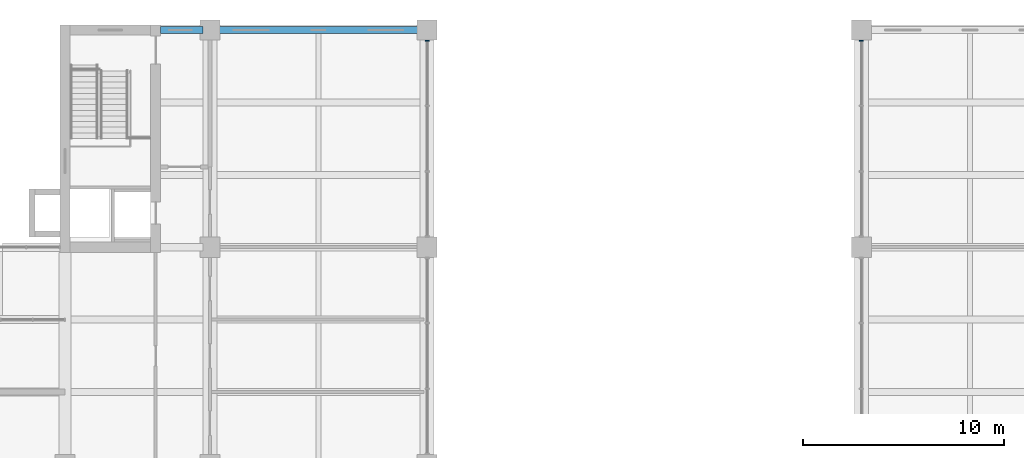
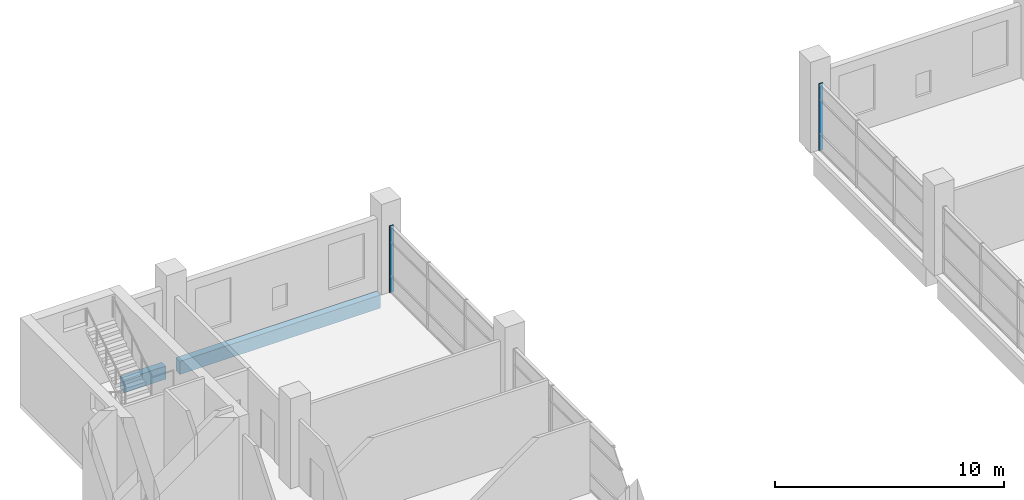
# One storey, part 19 of 35: 2 beams, 2 members, 2 elements without a shape of their own.
"""IFC4 building model written with IfcOpenShell, lengths in metres."""

from ifc_helpers import new_model, si_unit, direction, frame, origin, origin_2d, place, context, subcontext, project, spatial, rectangle, extrude, material, layer, layer_set, material_profile, profile_set, type_object, element, aggregate, save


model = new_model("IFC4")

# Units and contexts
model_context = context("Model", 3, precision=1e-05, world=origin(), true_north=direction((0.0, 1.0)))
body_context = subcontext(model_context, "Body", "Model", "MODEL_VIEW")
ifc_project = project(units=[si_unit("LENGTHUNIT", "METRE"), si_unit("AREAUNIT", "SQUARE_METRE"), si_unit("VOLUMEUNIT", "CUBIC_METRE"), si_unit("PLANEANGLEUNIT", "RADIAN"), si_unit("MASSUNIT", "GRAM", prefix="KILO")], contexts=[model_context])

# Site, building, storey
site_placement = place(None, origin())
site = spatial("IfcSite", under=ifc_project, at=site_placement, CompositionType="ELEMENT")
building_placement = place(site_placement, origin())
building = spatial("IfcBuilding", under=site, at=building_placement, Name="Basin Gate Institute", CompositionType="ELEMENT")
storey_placement = place(building_placement, frame((0.0, 0.0, 31.800048828125)))
storey = spatial("IfcBuildingStorey", under=building, at=storey_placement, Name="L06", CompositionType="ELEMENT", Elevation=31.800048828125)

# Beams
ifc_material_1 = material(Name="Concrete 40 MPa", Category="concrete")
ifc_material_profile_1 = material_profile(ifc_material_1, rectangle(XDim=0.35009765625, YDim=0.699951171875, at=origin_2d()), Name="Beam B1 350 x 700")
ifc_profile_set_1 = profile_set([ifc_material_profile_1], Name="Concrete 40 MPa")
beam_type = type_object("IfcBeamType", Name="Beam B1 R120", PredefinedType="BEAM", material=ifc_profile_set_1)
beam_1_placement = place(storey_placement, frame((68.75, 99.89990234375, -0.60009765625), z_axis=(1.0, 0.0, 0.0), x_axis=(0.0, 1.0, 0.0)))
element("IfcBeam", 1, at=beam_1_placement, inside=storey, type_object=beam_type, material=ifc_profile_set_1, Name="BEAM/L06/W/EW/19", PredefinedType="BEAM", context=body_context, shape_type="SweptSolid", body=[
    extrude(rectangle(XDim=0.35009765625, YDim=0.699951171875, at=origin_2d()), origin(), (0.0, 0.0, 1.0), 10.10009765625),
])
beam_2_placement = place(storey_placement, frame((65.949951171875, 99.89990234375, -0.60009765625), z_axis=(1.0, 0.0, 0.0), x_axis=(0.0, 1.0, 0.0)))
element("IfcBeam", 2, at=beam_2_placement, inside=storey, type_object=beam_type, material=ifc_profile_set_1, Name="BEAM/L06/W/CORR/19", PredefinedType="BEAM", context=body_context, shape_type="SweptSolid", body=[
    extrude(rectangle(XDim=0.35009765625, YDim=0.699951171875, at=origin_2d()), origin(), (0.0, 0.0, 1.0), 2.10009765625),
])

# Curtain wall, member
ifc_material_2 = material(Name="Aluminium-framed glazing", Category="aluminium")
ifc_layer = layer(ifc_material_2, 0.199951171875)
ifc_layer_set = layer_set([ifc_layer], Name="Atrium curtain wall CW2")
curtain_wall_type = type_object("IfcCurtainWallType", Name="Atrium curtain wall CW2", PredefinedType="NOTDEFINED", material=ifc_layer_set)
curtain_wall_1_placement = place(storey_placement, origin())
curtain_wall_1 = element("IfcCurtainWall", 3, at=curtain_wall_1_placement, inside=storey, type_object=curtain_wall_type, material=ifc_layer_set, Name="Atrium curtain wall W wing atrium bay 6 L06", PredefinedType="NOTDEFINED")
ifc_material_3 = material(Name="Aluminium", Category="aluminium")
ifc_material_profile_2 = material_profile(ifc_material_3, rectangle(XDim=0.199951171875, YDim=0.06005859375, at=origin_2d()), Name="Mullion MU2 200 x 60")
ifc_profile_set_2 = profile_set([ifc_material_profile_2], Name="Aluminium")
member_type = type_object("IfcMemberType", Name="Mullion MU2", PredefinedType="MULLION", material=ifc_profile_set_2)
member_1_placement = place(storey_placement, frame((79.199951171875, 99.3701171875, 0.0), z_axis=(0.0, 0.0, 1.0), x_axis=(-1.0, 0.0, 0.0)))
member_1 = element("IfcMember", 4, at=member_1_placement, type_object=member_type, material=ifc_profile_set_2, Name="CW2 mullion 4", PredefinedType="MULLION", context=body_context, shape_type="SweptSolid", body=[
    extrude(rectangle(XDim=0.199951171875, YDim=0.06005859375, at=origin_2d()), origin(), (0.0, 0.0, 1.0), 3.550048828125),
])
aggregate(curtain_wall_1, [member_1])

curtain_wall_2_placement = place(storey_placement, origin())
curtain_wall_2 = element("IfcCurtainWall", 5, at=curtain_wall_2_placement, inside=storey, type_object=curtain_wall_type, material=ifc_layer_set, Name="Atrium curtain wall E wing atrium bay 6 L06", PredefinedType="NOTDEFINED")
member_2_placement = place(storey_placement, frame((100.800048828125, 99.3701171875, 0.0), z_axis=(0.0, 0.0, 1.0), x_axis=(-1.0, 0.0, 0.0)))
member_2 = element("IfcMember", 6, at=member_2_placement, type_object=member_type, material=ifc_profile_set_2, Name="CW2 mullion 4", PredefinedType="MULLION", context=body_context, shape_type="SweptSolid", body=[
    extrude(rectangle(XDim=0.199951171875, YDim=0.06005859375, at=origin_2d()), origin(), (0.0, 0.0, 1.0), 3.550048828125),
])
aggregate(curtain_wall_2, [member_2])

save(model, "model.ifc")
